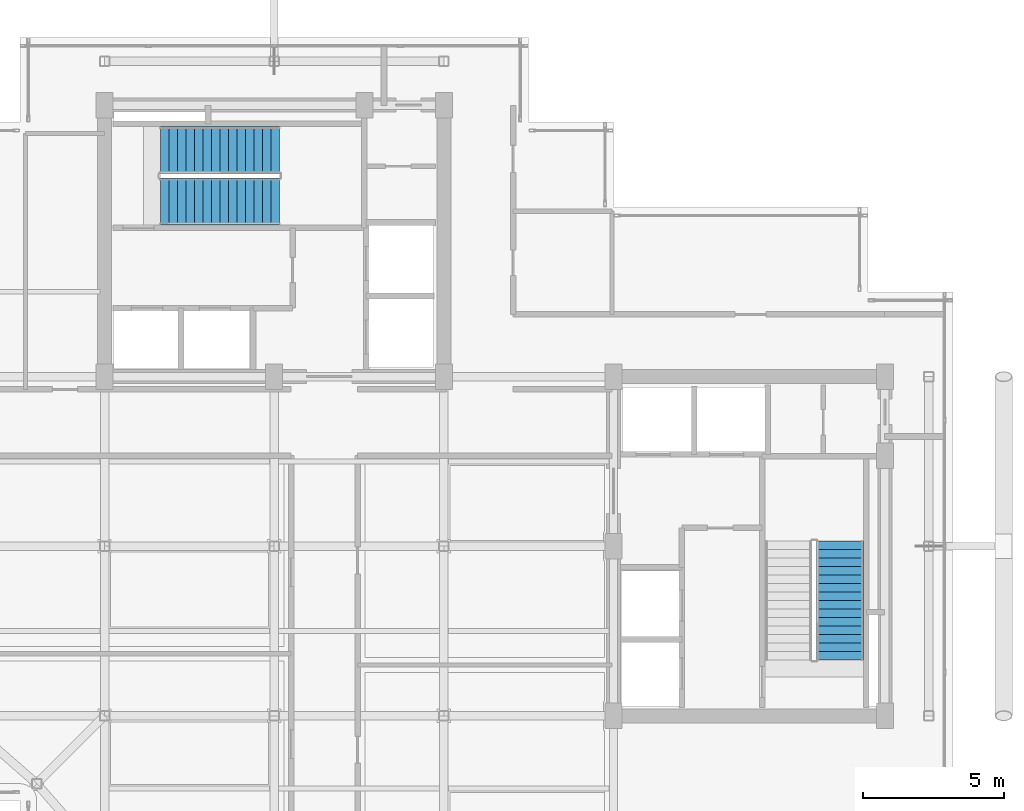
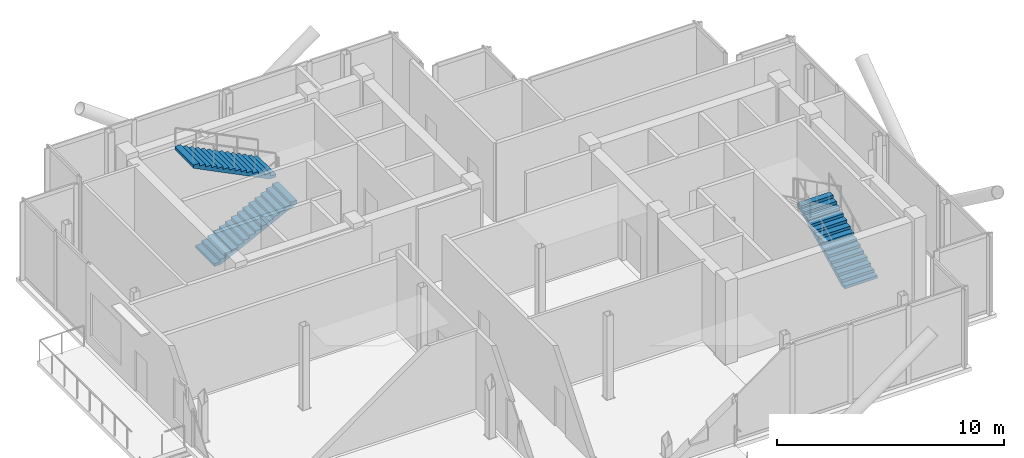
# One storey, part 14 of 16: 3 stair flights, 2 elements without a shape of their own.
"""IFC4 building model written with IfcOpenShell, lengths in metres."""

from ifc_helpers import new_model, si_unit, direction, frame, origin, place, context, subcontext, project, spatial, polyline, outline, extrude, material, type_object, element, aggregate, save


model = new_model("IFC4")

# Units and contexts
model_context = context("Model", 3, precision=1e-05, world=origin(), true_north=direction((0.0, 1.0)))
body_context = subcontext(model_context, "Body", "Model", "MODEL_VIEW")
ifc_project = project(units=[si_unit("LENGTHUNIT", "METRE"), si_unit("AREAUNIT", "SQUARE_METRE"), si_unit("VOLUMEUNIT", "CUBIC_METRE"), si_unit("PLANEANGLEUNIT", "RADIAN"), si_unit("MASSUNIT", "GRAM", prefix="KILO"), si_unit("THERMODYNAMICTEMPERATUREUNIT", "KELVIN"), si_unit("POWERUNIT", "WATT")], contexts=[model_context])

# Site, building, storey
site_placement = place(None, origin())
site = spatial("IfcSite", under=ifc_project, at=site_placement, CompositionType="ELEMENT")
building_placement = place(site_placement, origin())
building = spatial("IfcBuilding", under=site, at=building_placement, Name="Svarakhadi Broadcast Tower", CompositionType="ELEMENT")
storey_placement = place(building_placement, frame((0.0, 0.0, 296.39990234375)))
storey = spatial("IfcBuildingStorey", under=building, at=storey_placement, Name="L75", CompositionType="ELEMENT", Elevation=296.39990234375)

# Stair, stair flights
ifc_material = material(Name="Concrete C40/50 (IS 456 M50)", Category="concrete")
stair_type = type_object("IfcStairType", Name="Stair_Exit_Core", PredefinedType="HALF_TURN_STAIR", material=ifc_material)
stair_1_placement = place(storey_placement, origin())
stair_1 = element("IfcStair", 1, at=stair_1_placement, inside=storey, type_object=stair_type, Name="L75 West Core Protected Exit Stair ST-01", PredefinedType="HALF_TURN_STAIR")
stair_flight_type = type_object("IfcStairFlightType", Name="Flight_RC_1680", PredefinedType="STRAIGHT", material=ifc_material)
stair_flight_1_placement = place(storey_placement, frame((7.97998046875, 24.18994140625, 0.0), z_axis=(0.0, 0.0, 1.0), x_axis=(1.0, 0.0, 0.0)))
stair_flight_1 = element("IfcStairFlight", 2, at=stair_flight_1_placement, type_object=stair_flight_type, Name="ST-01 flight 1", NumberOfRisers=15, NumberOfTreads=14, PredefinedType="STRAIGHT", RiserHeight=0.15, TreadLength=0.3, context=body_context, shape_type="SweptSolid", body=[
    extrude(outline(polyline([(0.0, 0.0), (0.0, 0.14990234375), (0.300048828125, 0.14990234375), (0.300048828125, 0.300048828125), (0.60009765625, 0.300048828125), (0.60009765625, 0.449951171875), (0.89990234375, 0.449951171875), (0.89990234375, 0.60009765625), (1.199951171875, 0.60009765625), (1.199951171875, 0.75), (1.5, 0.75), (1.5, 0.89990234375), (1.800048828125, 0.89990234375), (1.800048828125, 1.050048828125), (2.10009765625, 1.050048828125), (2.10009765625, 1.199951171875), (2.39990234375, 1.199951171875), (2.39990234375, 1.35009765625), (2.699951171875, 1.35009765625), (2.699951171875, 1.5), (3.0, 1.5), (3.0, 1.64990234375), (3.300048828125, 1.64990234375), (3.300048828125, 1.800048828125), (3.60009765625, 1.800048828125), (3.60009765625, 1.949951171875), (3.89990234375, 1.949951171875), (3.89990234375, 2.10009765625), (4.199951171875, 2.10009765625), (4.199951171875, 2.25), (4.199951171875, 1.932373046875), (0.335205078125, 0.0), (0.0, 0.0)])), frame((0.0, 0.830078125, 0.0), z_axis=(0.0, -1.0, 0.0), x_axis=(1.0, 0.0, 0.0)), (0.0, 0.0, 1.0), 1.659912109375),
])
stair_flight_2_placement = place(storey_placement, frame((12.179931640625, 26.010009765625, 2.25), z_axis=(0.0, 0.0, 1.0), x_axis=(-1.0, 0.0, 0.0)))
stair_flight_2 = element("IfcStairFlight", 3, at=stair_flight_2_placement, type_object=stair_flight_type, Name="ST-01 flight 2", NumberOfRisers=15, NumberOfTreads=14, PredefinedType="STRAIGHT", RiserHeight=0.15, TreadLength=0.3, context=body_context, shape_type="SweptSolid", body=[
    extrude(outline(polyline([(0.0, 0.0), (0.0, 0.14990234375), (0.300048828125, 0.14990234375), (0.300048828125, 0.300048828125), (0.60009765625, 0.300048828125), (0.60009765625, 0.449951171875), (0.89990234375, 0.449951171875), (0.89990234375, 0.60009765625), (1.199951171875, 0.60009765625), (1.199951171875, 0.75), (1.5, 0.75), (1.5, 0.89990234375), (1.800048828125, 0.89990234375), (1.800048828125, 1.050048828125), (2.10009765625, 1.050048828125), (2.10009765625, 1.199951171875), (2.39990234375, 1.199951171875), (2.39990234375, 1.35009765625), (2.699951171875, 1.35009765625), (2.699951171875, 1.5), (3.0, 1.5), (3.0, 1.64990234375), (3.300048828125, 1.64990234375), (3.300048828125, 1.800048828125), (3.60009765625, 1.800048828125), (3.60009765625, 1.949951171875), (3.89990234375, 1.949951171875), (3.89990234375, 2.10009765625), (4.199951171875, 2.10009765625), (4.199951171875, 2.25), (4.199951171875, 1.932373046875), (0.335205078125, 0.0), (0.0, 0.0)])), frame((0.0, 0.830078125, 0.0), z_axis=(0.0, -1.0, 0.0), x_axis=(1.0, 0.0, 0.0)), (0.0, 0.0, 1.0), 1.659912109375),
])
aggregate(stair_1, [stair_flight_1, stair_flight_2])

# Stair, stair flight
stair_2_placement = place(storey_placement, origin())
stair_2 = element("IfcStair", 4, at=stair_2_placement, inside=storey, type_object=stair_type, Name="L75 East Core Protected Exit Stair ST-02", PredefinedType="HALF_TURN_STAIR")
stair_flight_3_placement = place(storey_placement, frame((32.010009765625, 7.97998046875, 0.0), z_axis=(0.0, 0.0, 1.0), x_axis=(0.0, 1.0, 0.0)))
stair_flight_3 = element("IfcStairFlight", 5, at=stair_flight_3_placement, type_object=stair_flight_type, Name="ST-02 flight 1", NumberOfRisers=15, NumberOfTreads=14, PredefinedType="STRAIGHT", RiserHeight=0.15, TreadLength=0.3, context=body_context, shape_type="SweptSolid", body=[
    extrude(outline(polyline([(0.0, 0.0), (0.0, 0.14990234375), (0.300048828125, 0.14990234375), (0.300048828125, 0.300048828125), (0.60009765625, 0.300048828125), (0.60009765625, 0.449951171875), (0.89990234375, 0.449951171875), (0.89990234375, 0.60009765625), (1.199951171875, 0.60009765625), (1.199951171875, 0.75), (1.5, 0.75), (1.5, 0.89990234375), (1.800048828125, 0.89990234375), (1.800048828125, 1.050048828125), (2.10009765625, 1.050048828125), (2.10009765625, 1.199951171875), (2.39990234375, 1.199951171875), (2.39990234375, 1.35009765625), (2.699951171875, 1.35009765625), (2.699951171875, 1.5), (3.0, 1.5), (3.0, 1.64990234375), (3.300048828125, 1.64990234375), (3.300048828125, 1.800048828125), (3.60009765625, 1.800048828125), (3.60009765625, 1.949951171875), (3.89990234375, 1.949951171875), (3.89990234375, 2.10009765625), (4.199951171875, 2.10009765625), (4.199951171875, 2.25), (4.199951171875, 1.932373046875), (0.335205078125, 0.0), (0.0, 0.0)])), frame((0.0, 0.830078125, 0.0), z_axis=(0.0, -1.0, 0.0), x_axis=(1.0, 0.0, 0.0)), (0.0, 0.0, 1.0), 1.659912109375),
])
aggregate(stair_2, [stair_flight_3])

save(model, "model.ifc")
